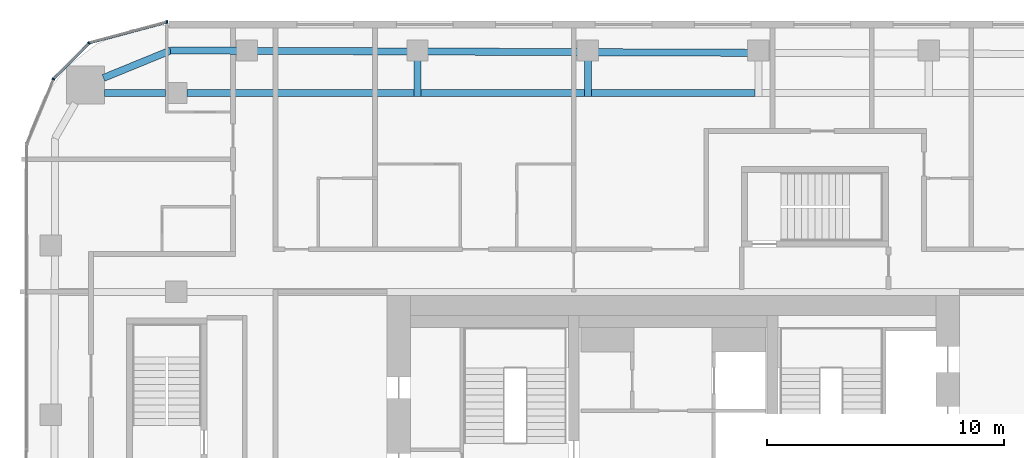
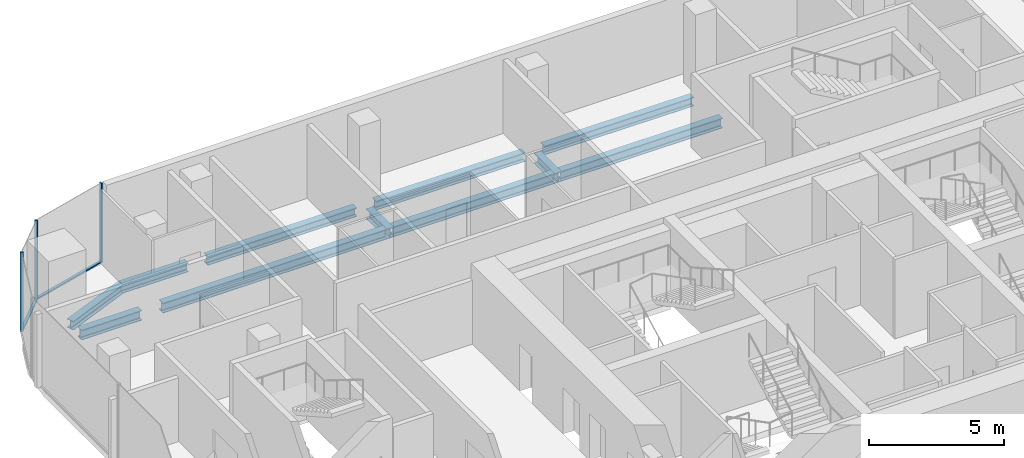
# One storey, part 10 of 23: 11 beams, 5 members, 3 elements without a shape of their own.
"""IFC4 building model written with IfcOpenShell, lengths in metres."""

from ifc_helpers import new_model, si_unit, direction, frame, origin, origin_2d, place, context, subcontext, project, spatial, rectangle, i_section, extrude, material, layer, layer_set, material_profile, profile_set, type_object, element, aggregate, save


model = new_model("IFC4")

# Units and contexts
model_context = context("Model", 3, precision=1e-05, world=origin(), true_north=direction((0.0, 1.0)))
body_context = subcontext(model_context, "Body", "Model", "MODEL_VIEW")
ifc_project = project(units=[si_unit("LENGTHUNIT", "METRE"), si_unit("AREAUNIT", "SQUARE_METRE"), si_unit("VOLUMEUNIT", "CUBIC_METRE"), si_unit("PLANEANGLEUNIT", "RADIAN"), si_unit("MASSUNIT", "GRAM", prefix="KILO")], contexts=[model_context])

# Site, building, storey
site_placement = place(None, origin())
site = spatial("IfcSite", under=ifc_project, at=site_placement, CompositionType="ELEMENT")
building_placement = place(site_placement, origin())
building = spatial("IfcBuilding", under=site, at=building_placement, Name="Marenta Gate Hotel Tower", CompositionType="ELEMENT")
storey_placement = place(building_placement, frame((0.0, 0.0, 126.5)))
storey = spatial("IfcBuildingStorey", under=building, at=storey_placement, Name="L28", CompositionType="ELEMENT", Elevation=126.5)

# Beams
ifc_material_1 = material(Name="Steel S355", Category="steel")
ifc_material_profile_1 = material_profile(ifc_material_1, i_section(OverallWidth=0.300048828125, OverallDepth=0.39990234375, WebThickness=0.013427734375, FlangeThickness=0.02392578125, FilletRadius=0.027099609375, at=origin_2d()), Name="HEB 400")
ifc_profile_set_1 = profile_set([ifc_material_profile_1], Name="Steel S355")
beam_type_1 = type_object("IfcBeamType", Name="Edge beam HEB 400", PredefinedType="SPANDREL", material=ifc_profile_set_1)
beam_1_placement = place(storey_placement, frame((-24.072509765625, 25.839111328125, -0.4599609375), z_axis=(0.925565978946, 0.378586342356, 0.0), x_axis=(-0.378586342356, 0.925565978946, 0.0)))
element("IfcBeam", 1, at=beam_1_placement, inside=storey, type_object=beam_type_1, Name="L28-EB-12", PredefinedType="SPANDREL", context=body_context, shape_type="SweptSolid", body=[
    extrude(i_section(OverallWidth=0.300048828125, OverallDepth=0.39990234375, WebThickness=0.013427734375, FlangeThickness=0.02392578125, FilletRadius=0.027099609375, at=origin_2d()), origin(), (0.0, 0.0, 1.0), 3.06640625),
])
beam_2_placement = place(storey_placement, frame((-21.234375, 27.0, -0.4599609375), z_axis=(0.999991706293, -0.004072756516, 0.0), x_axis=(0.004072756516, 0.999991706293, 0.0)))
element("IfcBeam", 2, at=beam_2_placement, inside=storey, type_object=beam_type_1, Name="L28-EB-13", PredefinedType="SPANDREL", context=body_context, shape_type="SweptSolid", body=[
    extrude(i_section(OverallWidth=0.300048828125, OverallDepth=0.39990234375, WebThickness=0.013427734375, FlangeThickness=0.02392578125, FilletRadius=0.027099609375, at=origin_2d()), origin(), (0.0, 0.0, 1.0), 2.8173828125),
])
beam_3_placement = place(storey_placement, frame((-17.596923828125, 26.985107421875, -0.4599609375), z_axis=(0.999991780748, -0.00405443424, 0.0), x_axis=(0.00405443424, 0.999991780748, 0.0)))
element("IfcBeam", 3, at=beam_3_placement, inside=storey, type_object=beam_type_1, Name="L28-EB-14", PredefinedType="SPANDREL", context=body_context, shape_type="SweptSolid", body=[
    extrude(i_section(OverallWidth=0.300048828125, OverallDepth=0.39990234375, WebThickness=0.013427734375, FlangeThickness=0.02392578125, FilletRadius=0.027099609375, at=origin_2d()), origin(), (0.0, 0.0, 1.0), 6.3828125),
])
beam_4_placement = place(storey_placement, frame((-10.39404296875, 26.955810546875, -0.4599609375), z_axis=(0.999991624297, -0.004092839529, 0.0), x_axis=(0.004092839529, 0.999991624297, 0.0)))
element("IfcBeam", 4, at=beam_4_placement, inside=storey, type_object=beam_type_1, Name="L28-EB-15", PredefinedType="SPANDREL", context=body_context, shape_type="SweptSolid", body=[
    extrude(i_section(OverallWidth=0.300048828125, OverallDepth=0.39990234375, WebThickness=0.013427734375, FlangeThickness=0.02392578125, FilletRadius=0.027099609375, at=origin_2d()), origin(), (0.0, 0.0, 1.0), 6.382568359375),
])
beam_5_placement = place(storey_placement, frame((-3.19140625, 26.926513671875, -0.4599609375), z_axis=(0.999991624938, -0.004092682982, 0.0), x_axis=(0.004092682982, 0.999991624938, 0.0)))
element("IfcBeam", 5, at=beam_5_placement, inside=storey, type_object=beam_type_1, Name="L28-EB-16", PredefinedType="SPANDREL", context=body_context, shape_type="SweptSolid", body=[
    extrude(i_section(OverallWidth=0.300048828125, OverallDepth=0.39990234375, WebThickness=0.013427734375, FlangeThickness=0.02392578125, FilletRadius=0.027099609375, at=origin_2d()), origin(), (0.0, 0.0, 1.0), 6.3828125),
])
ifc_material_2 = material(Name="Steel S355", Category="steel")
ifc_material_profile_2 = material_profile(ifc_material_2, i_section(OverallWidth=0.300048828125, OverallDepth=0.449951171875, WebThickness=0.013916015625, FlangeThickness=0.02587890625, FilletRadius=0.027099609375, at=origin_2d()), Name="HEB 450")
ifc_profile_set_2 = profile_set([ifc_material_profile_2], Name="Steel S355")
beam_type_2 = type_object("IfcBeamType", Name="Girder HEB 450", PredefinedType="BEAM", material=ifc_profile_set_2)
beam_6_placement = place(storey_placement, frame((-24.035400390625, 25.199951171875, -0.485107421875), z_axis=(1.0, 0.0, 0.0), x_axis=(0.0, 1.0, 0.0)))
element("IfcBeam", 6, at=beam_6_placement, inside=storey, type_object=beam_type_2, Name="L28-GD-29", PredefinedType="BEAM", context=body_context, shape_type="SweptSolid", body=[
    extrude(i_section(OverallWidth=0.300048828125, OverallDepth=0.449951171875, WebThickness=0.013916015625, FlangeThickness=0.02587890625, FilletRadius=0.027099609375, at=origin_2d()), origin(), (0.0, 0.0, 1.0), 2.58544921875),
])
beam_7_placement = place(storey_placement, frame((-20.550048828125, 25.199951171875, -0.485107421875), z_axis=(1.0, 0.0, 0.0), x_axis=(0.0, 1.0, 0.0)))
element("IfcBeam", 7, at=beam_7_placement, inside=storey, type_object=beam_type_2, Name="L28-GD-30", PredefinedType="BEAM", context=body_context, shape_type="SweptSolid", body=[
    extrude(i_section(OverallWidth=0.300048828125, OverallDepth=0.449951171875, WebThickness=0.013916015625, FlangeThickness=0.02587890625, FilletRadius=0.027099609375, at=origin_2d()), origin(), (0.0, 0.0, 1.0), 9.595947265625),
])
beam_8_placement = place(storey_placement, frame((-10.654052734375, 25.199951171875, -0.485107421875), z_axis=(1.0, 0.0, 0.0), x_axis=(0.0, 1.0, 0.0)))
element("IfcBeam", 8, at=beam_8_placement, inside=storey, type_object=beam_type_2, Name="L28-GD-31", PredefinedType="BEAM", context=body_context, shape_type="SweptSolid", body=[
    extrude(i_section(OverallWidth=0.300048828125, OverallDepth=0.449951171875, WebThickness=0.013916015625, FlangeThickness=0.02587890625, FilletRadius=0.027099609375, at=origin_2d()), origin(), (0.0, 0.0, 1.0), 6.902587890625),
])
beam_9_placement = place(storey_placement, frame((-3.451416015625, 25.199951171875, -0.485107421875), z_axis=(1.0, 0.0, 0.0), x_axis=(0.0, 1.0, 0.0)))
element("IfcBeam", 9, at=beam_9_placement, inside=storey, type_object=beam_type_2, Name="L28-GD-32", PredefinedType="BEAM", context=body_context, shape_type="SweptSolid", body=[
    extrude(i_section(OverallWidth=0.300048828125, OverallDepth=0.449951171875, WebThickness=0.013916015625, FlangeThickness=0.02587890625, FilletRadius=0.027099609375, at=origin_2d()), origin(), (0.0, 0.0, 1.0), 6.90283203125),
])
ifc_material_3 = material(Name="Steel S355", Category="steel")
ifc_material_profile_3 = material_profile(ifc_material_3, i_section(OverallWidth=0.300048828125, OverallDepth=0.449951171875, WebThickness=0.013916015625, FlangeThickness=0.02587890625, FilletRadius=0.027099609375, at=origin_2d()), Name="HEB 450")
ifc_profile_set_3 = profile_set([ifc_material_profile_3], Name="Steel S355")
beam_type_3 = type_object("IfcBeamType", Name="Girder bracket HEB 450", PredefinedType="BEAM", material=ifc_profile_set_3)
for number, where, z_axis, x_axis, name in (
    (10, (-10.80419921875, 25.050048828125, -0.485107421875), (0.0, 1.0, 0.0), (-1.0, 0.0, 0.0), "L28-GS-1"),
    (11, (-3.601318359375, 25.050048828125, -0.485107421875), (0.0, 1.0, 0.0), (-1.0, 0.0, 0.0), "L28-GS-2"),
):
    element("IfcBeam", number, at=place(storey_placement, frame(where, z_axis=z_axis, x_axis=x_axis)), inside=storey, type_object=beam_type_3, Name=name, PredefinedType="BEAM", context=body_context, shape_type="SweptSolid", body=[
        extrude(i_section(OverallWidth=0.300048828125, OverallDepth=0.449951171875, WebThickness=0.013916015625, FlangeThickness=0.02587890625, FilletRadius=0.027099609375, at=origin_2d()), origin(), (0.0, 0.0, 1.0), 1.5400390625),
    ])

# Curtain wall, member
ifc_material_4 = material(Name="Tinted insulated glass in bronze anodised frame", Category="glass")
ifc_layer = layer(ifc_material_4, 0.1201171875)
ifc_layer_set = layer_set([ifc_layer], Name="Tinted insulated glass in bronze anodised frame")
curtain_wall_type = type_object("IfcCurtainWallType", Name="Tower unitised curtain wall CW1", PredefinedType="NOTDEFINED", material=ifc_layer_set)
curtain_wall_1_placement = place(storey_placement, origin())
curtain_wall_1 = element("IfcCurtainWall", 12, at=curtain_wall_1_placement, inside=storey, type_object=curtain_wall_type, Name="CW1 run G00", PredefinedType="NOTDEFINED")
ifc_material_5 = material(Name="Bronze anodised aluminium", Category="aluminium")
ifc_material_profile_4 = material_profile(ifc_material_5, rectangle(XDim=0.1201171875, YDim=0.06005859375, at=origin_2d()), Name="Mullion CW1 60x120 bronze anodised aluminium")
ifc_profile_set_4 = profile_set([ifc_material_profile_4], Name="Bronze anodised aluminium")
member_type_1 = type_object("IfcMemberType", Name="Mullion CW1 60x120 bronze anodised aluminium", PredefinedType="MULLION", material=ifc_profile_set_4)
member_1_placement = place(storey_placement, frame((-21.385498046875, 28.203125, 0.0), z_axis=(0.0, 0.0, 1.0), x_axis=(0.258801234873, -0.96593059835, 0.0)))
member_1 = element("IfcMember", 13, at=member_1_placement, type_object=member_type_1, Name="CW1 mullion 1", PredefinedType="MULLION", context=body_context, shape_type="SweptSolid", body=[
    extrude(rectangle(XDim=0.1201171875, YDim=0.06005859375, at=origin_2d()), origin(), (0.0, 0.0, 1.0), 3.60009765625),
])

curtain_wall_2_placement = place(storey_placement, origin())
curtain_wall_2 = element("IfcCurtainWall", 14, at=curtain_wall_2_placement, inside=storey, type_object=curtain_wall_type, Name="CW1 run G01", PredefinedType="NOTDEFINED")
member_2_placement = place(storey_placement, frame((-24.68798828125, 27.302978515625, 0.0), z_axis=(0.0, 0.0, 1.0), x_axis=(0.707106781187, -0.707106781187, 0.0)))
member_2 = element("IfcMember", 15, at=member_2_placement, type_object=member_type_1, Name="CW1 mullion 1", PredefinedType="MULLION", context=body_context, shape_type="SweptSolid", body=[
    extrude(rectangle(XDim=0.1201171875, YDim=0.06005859375, at=origin_2d()), origin(), (0.0, 0.0, 1.0), 3.60009765625),
])

curtain_wall_3_placement = place(storey_placement, origin())
curtain_wall_3 = element("IfcCurtainWall", 16, at=curtain_wall_3_placement, inside=storey, type_object=curtain_wall_type, Name="CW1 run G02", PredefinedType="NOTDEFINED")
member_3_placement = place(storey_placement, frame((-26.183837890625, 25.790771484375, 0.0), z_axis=(0.0, 0.0, 1.0), x_axis=(0.923884278178, -0.382671975111, 0.0)))
member_3 = element("IfcMember", 17, at=member_3_placement, type_object=member_type_1, Name="CW1 mullion 1", PredefinedType="MULLION", context=body_context, shape_type="SweptSolid", body=[
    extrude(rectangle(XDim=0.1201171875, YDim=0.06005859375, at=origin_2d()), origin(), (0.0, 0.0, 1.0), 3.60009765625),
])
aggregate(curtain_wall_3, [member_3])

# Member
ifc_material_6 = material(Name="Bronze anodised aluminium", Category="aluminium")
ifc_material_profile_5 = material_profile(ifc_material_6, rectangle(XDim=0.1201171875, YDim=0.06005859375, at=origin_2d()), Name="Transom CW1 60x120 bronze anodised aluminium")
ifc_profile_set_5 = profile_set([ifc_material_profile_5], Name="Bronze anodised aluminium")
member_type_2 = type_object("IfcMemberType", Name="Transom CW1 60x120 bronze anodised aluminium", PredefinedType="USERDEFINED", material=ifc_profile_set_5)
member_4_placement = place(storey_placement, frame((-21.41455078125, 28.195556640625, 0.030029296875), z_axis=(-0.965932192411, -0.258795285243, 0.0), x_axis=(0.258795285243, -0.965932192411, 0.0)))
member_4 = element("IfcMember", 18, at=member_4_placement, type_object=member_type_2, Name="CW1 transom 1.1", ObjectType="TRANSOM", PredefinedType="USERDEFINED", context=body_context, shape_type="SweptSolid", body=[
    extrude(rectangle(XDim=0.1201171875, YDim=0.06005859375, at=origin_2d()), origin(), (0.0, 0.0, 1.0), 3.366943359375),
])

aggregate(curtain_wall_1, [member_1, member_4])

member_5_placement = place(storey_placement, frame((-24.709228515625, 27.28173828125, 0.030029296875), z_axis=(-0.707106781187, -0.707106781187, 0.0), x_axis=(0.707106781187, -0.707106781187, 0.0)))
member_5 = element("IfcMember", 19, at=member_5_placement, type_object=member_type_2, Name="CW1 transom 1.1", ObjectType="TRANSOM", PredefinedType="USERDEFINED", context=body_context, shape_type="SweptSolid", body=[
    extrude(rectangle(XDim=0.1201171875, YDim=0.06005859375, at=origin_2d()), origin(), (0.0, 0.0, 1.0), 2.069091796875),
])

aggregate(curtain_wall_2, [member_2, member_5])

save(model, "model.ifc")
